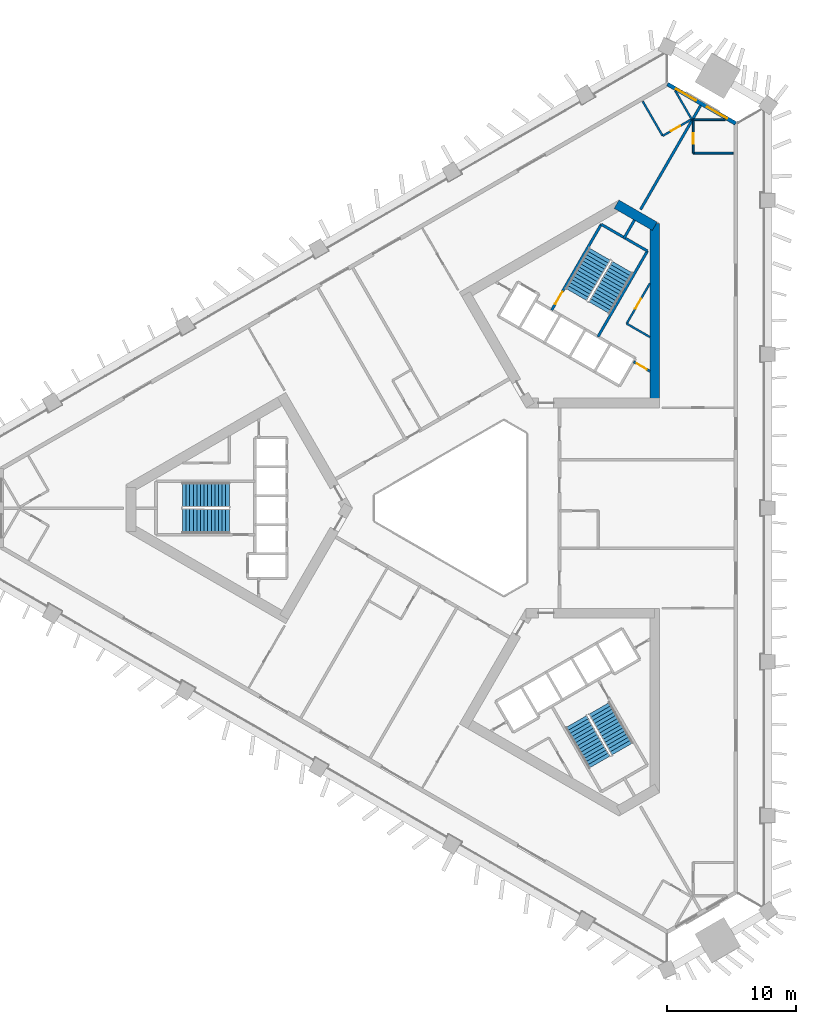
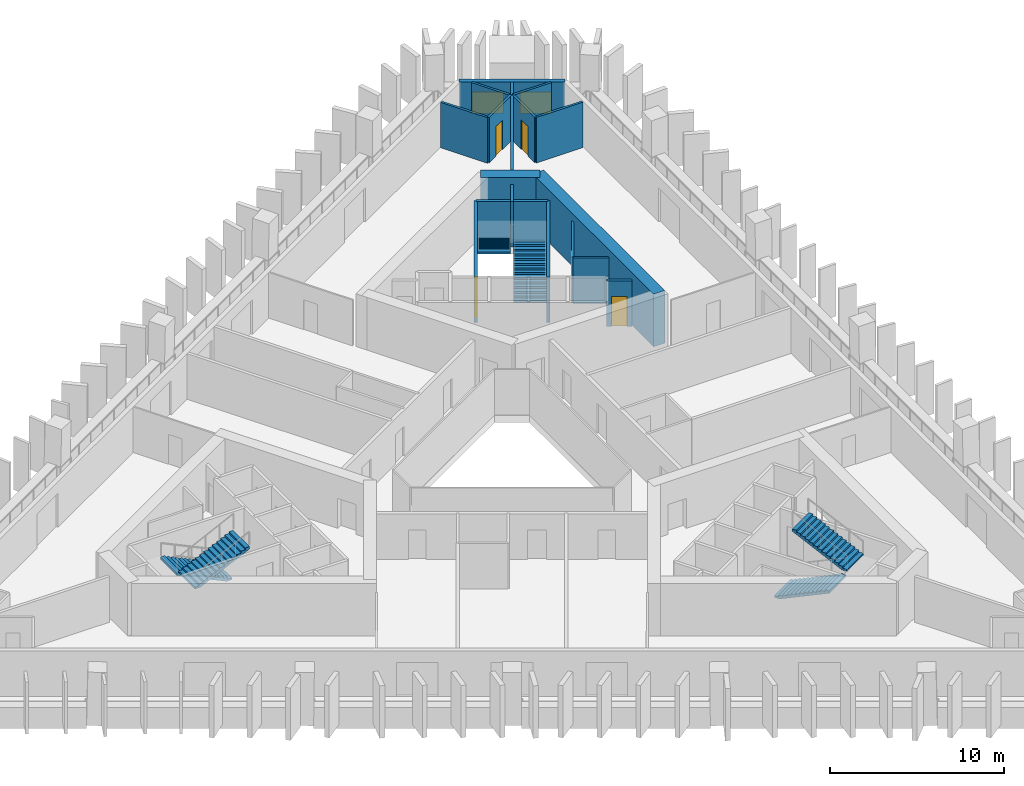
# One storey, part 6 of 10: 17 walls, 6 stair flights, 5 doors, 2 windows, 7 openings, 3 elements without a shape of their own.
"""IFC4 building model written with IfcOpenShell, lengths in metres."""

from ifc_helpers import new_model, si_unit, direction, frame, frame_2d, origin, place, context, subcontext, project, spatial, polyline, rectangle, outline, extrude, material, layer, layer_set, type_object, element, fill, aggregate, save


model = new_model("IFC4")

# Units and contexts
model_context = context("Model", 3, precision=1e-05, world=origin(), true_north=direction((0.0, 1.0)))
body_context = subcontext(model_context, "Body", "Model", "MODEL_VIEW")
ifc_project = project(units=[si_unit("LENGTHUNIT", "METRE"), si_unit("AREAUNIT", "SQUARE_METRE"), si_unit("VOLUMEUNIT", "CUBIC_METRE"), si_unit("PLANEANGLEUNIT", "RADIAN"), si_unit("MASSUNIT", "GRAM", prefix="KILO")], contexts=[model_context])

# Site, building, storey
site_placement = place(None, origin())
site = spatial("IfcSite", under=ifc_project, at=site_placement, CompositionType="ELEMENT")
building_placement = place(site_placement, origin())
building = spatial("IfcBuilding", under=site, at=building_placement, Name="Jabali Bay Hotel Tower and Convention Centre", CompositionType="ELEMENT")
storey_placement = place(building_placement, frame((0.0, 0.0, 64.699951171875)))
storey = spatial("IfcBuildingStorey", under=building, at=storey_placement, Name="L14", CompositionType="ELEMENT", Elevation=64.699951171875)

# Wall
ifc_material_1 = material(Name="Concrete C40", Category="concrete")
ifc_layer_1 = layer(ifc_material_1, 0.199951171875)
ifc_layer_set_1 = layer_set([ifc_layer_1], Name="Concrete C40")
wall_type_1 = type_object("IfcWallType", Name="Core partition wall 200", PredefinedType="PARTITIONING", material=ifc_layer_set_1)
wall_1_placement = place(storey_placement, frame((87.090087890625, 100.9404296875, 0.0), z_axis=(0.0, 0.0, 1.0), x_axis=(0.499937194881, 0.866061661301, 0.0)))
element("IfcWall", 1, at=wall_1_placement, inside=storey, type_object=wall_type_1, Name="Core wall 1.5 L14", PredefinedType="PARTITIONING", context=body_context, shape_type="SweptSolid", body=[
    extrude(rectangle(XDim=1.673095703125, YDim=0.199951171875, at=frame_2d((0.83642578125, 0.0))), origin(), (0.0, 0.0, 1.0), 3.199951171875),
])

# Wall, opening, door
wall_2_placement = place(storey_placement, frame((89.130126953125, 90.640625, 0.0), z_axis=(0.0, 0.0, 1.0), x_axis=(-0.866094119867, 0.499880961361, 0.0)))
wall_2 = element("IfcWall", 2, at=wall_2_placement, inside=storey, type_object=wall_type_1, Name="Core wall 1.11 L14", PredefinedType="PARTITIONING", context=body_context, shape_type="SweptSolid", body=[
    extrude(rectangle(XDim=1.466552734375, YDim=0.199951171875, at=frame_2d((0.7333984375, 0.0))), origin(), (0.0, 0.0, 1.0), 3.199951171875),
])
opening_1_placement = place(wall_2_placement, frame((0.283447265625, 0.0, 0.0)))
opening_1 = element("IfcOpeningElement", 3, at=opening_1_placement, cuts=wall_2, Name="Opening D375", PredefinedType="OPENING", context=body_context, shape_type="SweptSolid", body=[
    extrude(rectangle(XDim=0.89990234375, YDim=2.10009765625, at=frame_2d((0.449951171875, 1.050048828125))), frame((0.0, 0.1103515625, 0.0), z_axis=(0.0, -1.0, 0.0), x_axis=(1.0, 0.0, 0.0)), (0.0, 0.0, 1.0), 0.220947265625),
])
ifc_material_2 = material(Name="Fire-rated steel door", Category="steel")
door_type_1 = type_object("IfcDoorType", Name="Vestibule fire door 900 x 2100", OperationType="NOTDEFINED", PredefinedType="NOTDEFINED", material=ifc_material_2)
door_1_placement = place(opening_1_placement, origin())
door_1 = element("IfcDoor", 4, at=door_1_placement, inside=storey, type_object=door_type_1, Name="Vestibule fire door D375", OperationType="SINGLE_SWING_LEFT", OverallHeight=2.10009765625, OverallWidth=0.89990234375, PredefinedType="NOTDEFINED", context=body_context, shape_type="SweptSolid", body=[
    extrude(rectangle(XDim=0.89990234375, YDim=2.10009765625, at=frame_2d((0.449951171875, 1.050048828125))), frame((0.0, 0.02490234375, 0.0), z_axis=(0.0, -1.0, 0.0), x_axis=(1.0, 0.0, 0.0)), (0.0, 0.0, 1.0), 0.050048828125),
])
fill(opening_1, door_1)

ifc_material_3 = material(Name="Fire-rated board partition")
ifc_layer_2 = layer(ifc_material_3, 0.14990234375)
ifc_layer_set_2 = layer_set([ifc_layer_2], Name="Fire-rated board partition")
wall_type_2 = type_object("IfcWallType", Name="Core room partition 150", PredefinedType="PARTITIONING", material=ifc_layer_set_2)
wall_3_placement = place(storey_placement, frame((87.321044921875, 94.3408203125, 0.0), z_axis=(0.0, 0.0, 1.0), x_axis=(0.499993116331, 0.866029378036, 0.0)))
wall_3 = element("IfcWall", 5, at=wall_3_placement, inside=storey, type_object=wall_type_2, Name="Core wall 1.1 L14", PredefinedType="PARTITIONING", context=body_context, shape_type="SweptSolid", body=[
    extrude(rectangle(XDim=3.61767578125, YDim=0.14990234375, at=frame_2d((1.808837890625, 0.0))), origin(), (0.0, 0.0, 1.0), 3.199951171875),
])
opening_2_placement = place(wall_3_placement, frame((1.33154296875, 0.0, 0.0)))
opening_2 = element("IfcOpeningElement", 6, at=opening_2_placement, cuts=wall_3, Name="Opening D377", PredefinedType="OPENING", context=body_context, shape_type="SweptSolid", body=[
    extrude(rectangle(XDim=0.89990234375, YDim=2.10009765625, at=frame_2d((0.449951171875, 1.050048828125))), frame((0.0, 0.08544921875, 0.0), z_axis=(0.0, -1.0, 0.0), x_axis=(1.0, 0.0, 0.0)), (0.0, 0.0, 1.0), 0.1708984375),
])
door_type_2 = type_object("IfcDoorType", Name="Core room door 900 x 2100", OperationType="NOTDEFINED", PredefinedType="NOTDEFINED", material=ifc_material_2)
door_2_placement = place(opening_2_placement, origin())
door_2 = element("IfcDoor", 7, at=door_2_placement, inside=storey, type_object=door_type_2, Name="Core room door D377", OperationType="SINGLE_SWING_LEFT", OverallHeight=2.10009765625, OverallWidth=0.89990234375, PredefinedType="NOTDEFINED", context=body_context, shape_type="SweptSolid", body=[
    extrude(rectangle(XDim=0.89990234375, YDim=2.10009765625, at=frame_2d((0.449951171875, 1.050048828125))), frame((0.0, 0.02490234375, 0.0), z_axis=(0.0, -1.0, 0.0), x_axis=(1.0, 0.0, 0.0)), (0.0, 0.0, 1.0), 0.050048828125),
])
fill(opening_2, door_2)

# Walls
wall_4_placement = place(storey_placement, frame((89.130126953125, 93.29638671875, 0.0), z_axis=(0.0, 0.0, 1.0), x_axis=(-0.866033778982, 0.499985493453, 0.0)))
element("IfcWall", 8, at=wall_4_placement, inside=storey, type_object=wall_type_2, Name="Core wall 1.15 L14", PredefinedType="PARTITIONING", context=body_context, shape_type="SweptSolid", body=[
    extrude(rectangle(XDim=2.0888671875, YDim=0.14990234375, at=frame_2d((1.04443359375, 0.0))), origin(), (0.0, 0.0, 1.0), 3.199951171875),
])
ifc_layer_3 = layer(ifc_material_1, 0.199951171875)
ifc_layer_set_3 = layer_set([ifc_layer_3], Name="Concrete C40")
wall_type_3 = type_object("IfcWallType", Name="Core stair wall 200", PredefinedType="SOLIDWALL", material=ifc_layer_set_3)
wall_5_placement = place(storey_placement, frame((85.0869140625, 93.3212890625, 0.0), z_axis=(0.0, 0.0, 1.0), x_axis=(0.500019787375, 0.866013979237, 0.0)))
element("IfcWall", 9, at=wall_5_placement, inside=storey, type_object=wall_type_3, Name="Core wall 1.3 L14", PredefinedType="SOLIDWALL", context=body_context, shape_type="SweptSolid", body=[
    extrude(rectangle(XDim=7.699951171875, YDim=0.199951171875, at=frame_2d((3.85009765625, 0.0))), origin(), (0.0, 0.0, 1.0), 3.199951171875),
])

# Wall, opening, door
wall_6_placement = place(storey_placement, frame((81.492919921875, 95.396240234375, 0.0), z_axis=(0.0, 0.0, 1.0), x_axis=(0.500006057782, 0.866021906294, 0.0)))
wall_6 = element("IfcWall", 10, at=wall_6_placement, inside=storey, type_object=wall_type_3, Name="Core wall 1.7 L14", PredefinedType="SOLIDWALL", context=body_context, shape_type="SweptSolid", body=[
    extrude(rectangle(XDim=7.7001953125, YDim=0.199951171875, at=frame_2d((3.85009765625, 0.0))), origin(), (0.0, 0.0, 1.0), 3.199951171875),
])
opening_3_placement = place(wall_6_placement, frame((0.550048828125, 0.0, 0.0)))
opening_3 = element("IfcOpeningElement", 11, at=opening_3_placement, cuts=wall_6, Name="Opening D376", PredefinedType="OPENING", context=body_context, shape_type="SweptSolid", body=[
    extrude(rectangle(XDim=1.10009765625, YDim=2.10009765625, at=frame_2d((0.550048828125, 1.050048828125))), frame((0.0, 0.1103515625, 0.0), z_axis=(0.0, -1.0, 0.0), x_axis=(1.0, 0.0, 0.0)), (0.0, 0.0, 1.0), 0.220947265625),
])
door_type_3 = type_object("IfcDoorType", Name="Stair fire door 1100 x 2100", OperationType="NOTDEFINED", PredefinedType="NOTDEFINED", material=ifc_material_2)
door_3_placement = place(opening_3_placement, origin())
door_3 = element("IfcDoor", 12, at=door_3_placement, inside=storey, type_object=door_type_3, Name="Stair fire door D376", OperationType="SINGLE_SWING_RIGHT", OverallHeight=2.10009765625, OverallWidth=1.10009765625, PredefinedType="NOTDEFINED", context=body_context, shape_type="SweptSolid", body=[
    extrude(rectangle(XDim=1.10009765625, YDim=2.10009765625, at=frame_2d((0.550048828125, 1.050048828125))), frame((0.0, 0.02490234375, 0.0), z_axis=(0.0, -1.0, 0.0), x_axis=(1.0, 0.0, 0.0)), (0.0, 0.0, 1.0), 0.050048828125),
])
fill(opening_3, door_3)

# Walls
wall_7_placement = place(storey_placement, frame((88.93701171875, 99.989501953125, 0.0), z_axis=(0.0, 0.0, 1.0), x_axis=(-0.866004344652, 0.500036473714, 0.0)))
element("IfcWall", 13, at=wall_7_placement, inside=storey, type_object=wall_type_3, Name="Core wall 1.16 L14", PredefinedType="SOLIDWALL", context=body_context, shape_type="SweptSolid", body=[
    extrude(rectangle(XDim=4.150146484375, YDim=0.199951171875, at=frame_2d((2.0751953125, 0.0))), origin(), (0.0, 0.0, 1.0), 3.199951171875),
])
ifc_material_4 = material(Name="Concrete C60", Category="concrete")
ifc_layer_4 = layer(ifc_material_4, 0.75)
ifc_layer_set_4 = layer_set([ifc_layer_4], Name="Concrete C60")
wall_type_4 = type_object("IfcWallType", Name="Core wall 750", PredefinedType="SHEAR", material=ifc_layer_set_4)
wall_8_placement = place(storey_placement, frame((89.5048828125, 88.169189453125, 0.0), z_axis=(0.0, 0.0, 1.0), x_axis=(0.0, 1.0, 0.0)))
element("IfcWall", 14, at=wall_8_placement, inside=storey, type_object=wall_type_4, Name="Core wall 2.2 L14", PredefinedType="SHEAR", context=body_context, shape_type="SweptSolid", body=[
    extrude(rectangle(XDim=13.95849609375, YDim=0.75, at=frame_2d((6.979248046875, 0.0))), origin(), (0.0, 0.0, 1.0), 3.699951171875),
])
wall_9_placement = place(storey_placement, frame((89.5048828125, 101.9111328125, 0.0), z_axis=(0.0, 0.0, 1.0), x_axis=(-0.866017201164, 0.500014207086, 0.0)))
element("IfcWall", 15, at=wall_9_placement, inside=storey, type_object=wall_type_4, Name="Core wall 2.3 L14", PredefinedType="SHEAR", context=body_context, shape_type="SweptSolid", body=[
    extrude(rectangle(XDim=3.4287109375, YDim=0.75, at=frame_2d((1.71435546875, 0.0))), origin(), (0.0, 0.0, 1.0), 3.699951171875),
])

# Wall, openings, windows
ifc_layer_5 = layer(ifc_material_1, 0.300048828125)
ifc_layer_set_5 = layer_set([ifc_layer_5], Name="Concrete C40")
wall_type_5 = type_object("IfcWallType", Name="External wall 300", PredefinedType="SOLIDWALL", material=ifc_layer_set_5)
wall_10_placement = place(storey_placement, frame((90.4990234375, 112.965576171875, 0.0), z_axis=(0.0, 0.0, 1.0), x_axis=(0.866022842194, -0.500004436779, 0.0)))
wall_10 = element("IfcWall", 16, at=wall_10_placement, inside=storey, type_object=wall_type_5, Name="External wall north-east chamfer L14", PredefinedType="SOLIDWALL", context=body_context, shape_type="SweptSolid", body=[
    extrude(rectangle(XDim=6.12060546875, YDim=0.300048828125, at=frame_2d((3.060302734375, 0.0))), origin(), (0.0, 0.0, 1.0), 3.199951171875),
])
opening_4_placement = place(wall_10_placement, frame((3.531982421875, 0.0, 0.89990234375)))
opening_4 = element("IfcOpeningElement", 17, at=opening_4_placement, cuts=wall_10, Name="Opening W1", PredefinedType="OPENING", context=body_context, shape_type="SweptSolid", body=[
    extrude(rectangle(XDim=1.800048828125, YDim=1.5, at=frame_2d((0.89990234375, 0.75))), frame((0.0, 0.16064453125, 0.0), z_axis=(0.0, -1.0, 0.0), x_axis=(1.0, 0.0, 0.0)), (0.0, 0.0, 1.0), 0.321044921875),
])
opening_5_placement = place(wall_10_placement, frame((0.759521484375, 0.0, 0.89990234375)))
opening_5 = element("IfcOpeningElement", 18, at=opening_5_placement, cuts=wall_10, Name="Opening W1", PredefinedType="OPENING", context=body_context, shape_type="SweptSolid", body=[
    extrude(rectangle(XDim=1.800048828125, YDim=1.5, at=frame_2d((0.89990234375, 0.75))), frame((0.0, 0.16064453125, 0.0), z_axis=(0.0, -1.0, 0.0), x_axis=(1.0, 0.0, 0.0)), (0.0, 0.0, 1.0), 0.321044921875),
])
ifc_material_5 = material(Name="Glass", Category="glass")
window_type = type_object("IfcWindowType", Name="Window 1800 x 1500", PartitioningType="SINGLE_PANEL", PredefinedType="WINDOW", material=ifc_material_5)
window_1_placement = place(opening_4_placement, origin())
window_1 = element("IfcWindow", 19, at=window_1_placement, inside=storey, type_object=window_type, Name="Window 1403", OverallHeight=1.5, OverallWidth=1.800048828125, PartitioningType="SINGLE_PANEL", PredefinedType="WINDOW", context=body_context, shape_type="SweptSolid", body=[
    extrude(rectangle(XDim=1.800048828125, YDim=1.5, at=frame_2d((0.89990234375, 0.75))), frame((0.0, 0.030029296875, 0.0), z_axis=(0.0, -1.0, 0.0), x_axis=(1.0, 0.0, 0.0)), (0.0, 0.0, 1.0), 0.06005859375),
])
fill(opening_4, window_1)
window_2_placement = place(opening_5_placement, origin())
window_2 = element("IfcWindow", 20, at=window_2_placement, inside=storey, type_object=window_type, Name="Window 1404", OverallHeight=1.5, OverallWidth=1.800048828125, PartitioningType="SINGLE_PANEL", PredefinedType="WINDOW", context=body_context, shape_type="SweptSolid", body=[
    extrude(rectangle(XDim=1.800048828125, YDim=1.5, at=frame_2d((0.89990234375, 0.75))), frame((0.0, 0.030029296875, 0.0), z_axis=(0.0, -1.0, 0.0), x_axis=(1.0, 0.0, 0.0)), (0.0, 0.0, 1.0), 0.06005859375),
])
fill(opening_5, window_2)

# Wall
ifc_material_6 = material(Name="Plasterboard on steel stud", Category="steel")
ifc_layer_6 = layer(ifc_material_6, 0.14990234375)
ifc_layer_set_6 = layer_set([ifc_layer_6], Name="Plasterboard on steel stud")
wall_type_6 = type_object("IfcWallType", Name="Partition 150 wet", PredefinedType="PARTITIONING", material=ifc_layer_set_6)
wall_11_placement = place(storey_placement, frame((95.609375, 107.59423828125, 0.0), z_axis=(0.0, 0.0, 1.0), x_axis=(-1.0, 0.0, 0.0)))
element("IfcWall", 21, at=wall_11_placement, inside=storey, type_object=wall_type_6, Name="Partition P03 L14 012", PredefinedType="PARTITIONING", context=body_context, shape_type="SweptSolid", body=[
    extrude(rectangle(XDim=3.10791015625, YDim=0.14990234375, at=frame_2d((1.553955078125, 0.0))), origin(), (0.0, 0.0, 1.0), 3.199951171875),
])

# Wall, opening, door
wall_12_placement = place(storey_placement, frame((92.50146484375, 107.59423828125, 0.0), z_axis=(0.0, 0.0, 1.0), x_axis=(0.0, 1.0, 0.0)))
wall_12 = element("IfcWall", 22, at=wall_12_placement, inside=storey, type_object=wall_type_6, Name="Partition P03 L14 013", PredefinedType="PARTITIONING", context=body_context, shape_type="SweptSolid", body=[
    extrude(rectangle(XDim=2.60009765625, YDim=0.14990234375, at=frame_2d((1.300048828125, 0.0))), origin(), (0.0, 0.0, 1.0), 3.199951171875),
])
opening_6_placement = place(wall_12_placement, frame((0.75, 0.0, 0.0)))
opening_6 = element("IfcOpeningElement", 23, at=opening_6_placement, cuts=wall_12, Name="Opening 1408", PredefinedType="OPENING", context=body_context, shape_type="SweptSolid", body=[
    extrude(rectangle(XDim=0.800048828125, YDim=2.10009765625, at=frame_2d((0.39990234375, 1.050048828125))), frame((0.0, 0.08544921875, 0.0), z_axis=(0.0, -1.0, 0.0), x_axis=(1.0, 0.0, 0.0)), (0.0, 0.0, 1.0), 0.1708984375),
])
ifc_material_7 = material(Name="Timber", Category="wood")
door_type_4 = type_object("IfcDoorType", Name="En-suite door 800 x 2100", OperationType="NOTDEFINED", PredefinedType="NOTDEFINED", material=ifc_material_7)
door_4_placement = place(opening_6_placement, origin())
door_4 = element("IfcDoor", 24, at=door_4_placement, inside=storey, type_object=door_type_4, Name="Door 1408", OperationType="SINGLE_SWING_LEFT", OverallHeight=2.10009765625, OverallWidth=0.800048828125, PredefinedType="NOTDEFINED", context=body_context, shape_type="SweptSolid", body=[
    extrude(rectangle(XDim=0.800048828125, YDim=2.10009765625, at=frame_2d((0.39990234375, 1.050048828125))), frame((0.0, 0.02490234375, 0.0), z_axis=(0.0, -1.0, 0.0), x_axis=(1.0, 0.0, 0.0)), (0.0, 0.0, 1.0), 0.050048828125),
])
fill(opening_6, door_4)

# Walls
wall_13_placement = place(storey_placement, frame((92.50146484375, 110.1943359375, 0.0), z_axis=(0.0, 0.0, 1.0), x_axis=(1.0, 0.0, 0.0)))
element("IfcWall", 25, at=wall_13_placement, inside=storey, type_object=wall_type_6, Name="Partition P03 L14 014", PredefinedType="PARTITIONING", context=body_context, shape_type="SweptSolid", body=[
    extrude(rectangle(XDim=2.49951171875, YDim=0.14990234375, at=frame_2d((1.249755859375, 0.0))), origin(), (0.0, 0.0, 1.0), 3.199951171875),
])
wall_14_placement = place(storey_placement, frame((91.098388671875, 112.447509765625, 0.0), z_axis=(0.0, 0.0, 1.0), x_axis=(0.499960079661, -0.866048450576, 0.0)))
element("IfcWall", 26, at=wall_14_placement, inside=storey, type_object=wall_type_6, Name="Partition P03 L14 019", PredefinedType="PARTITIONING", context=body_context, shape_type="SweptSolid", body=[
    extrude(rectangle(XDim=2.549560546875, YDim=0.14990234375, at=frame_2d((1.27490234375, 0.0))), origin(), (0.0, 0.0, 1.0), 3.199951171875),
])

# Wall, opening, door
wall_15_placement = place(storey_placement, frame((92.373046875, 110.239501953125, 0.0), z_axis=(0.0, 0.0, 1.0), x_axis=(-0.865997922154, -0.500047596559, 0.0)))
wall_15 = element("IfcWall", 27, at=wall_15_placement, inside=storey, type_object=wall_type_6, Name="Partition P03 L14 020", PredefinedType="PARTITIONING", context=body_context, shape_type="SweptSolid", body=[
    extrude(rectangle(XDim=2.599853515625, YDim=0.14990234375, at=frame_2d((1.2998046875, 0.0))), origin(), (0.0, 0.0, 1.0), 3.199951171875),
])
opening_7_placement = place(wall_15_placement, frame((1.050048828125, 0.0, 0.0)))
opening_7 = element("IfcOpeningElement", 28, at=opening_7_placement, cuts=wall_15, Name="Opening 1411", PredefinedType="OPENING", context=body_context, shape_type="SweptSolid", body=[
    extrude(rectangle(XDim=0.800048828125, YDim=2.10009765625, at=frame_2d((0.39990234375, 1.050048828125))), frame((0.0, 0.08544921875, 0.0), z_axis=(0.0, -1.0, 0.0), x_axis=(1.0, 0.0, 0.0)), (0.0, 0.0, 1.0), 0.1708984375),
])
door_5_placement = place(opening_7_placement, origin())
door_5 = element("IfcDoor", 29, at=door_5_placement, inside=storey, type_object=door_type_4, Name="Door 1411", OperationType="SINGLE_SWING_RIGHT", OverallHeight=2.10009765625, OverallWidth=0.800048828125, PredefinedType="NOTDEFINED", context=body_context, shape_type="SweptSolid", body=[
    extrude(rectangle(XDim=0.800048828125, YDim=2.10009765625, at=frame_2d((0.39990234375, 1.050048828125))), frame((0.0, 0.02490234375, 0.0), z_axis=(0.0, -1.0, 0.0), x_axis=(1.0, 0.0, 0.0)), (0.0, 0.0, 1.0), 0.050048828125),
])
fill(opening_7, door_5)

# Walls
wall_16_placement = place(storey_placement, frame((90.12158203125, 108.939453125, 0.0), z_axis=(0.0, 0.0, 1.0), x_axis=(-0.500017123375, 0.866015517374, 0.0)))
element("IfcWall", 30, at=wall_16_placement, inside=storey, type_object=wall_type_6, Name="Partition P03 L14 021", PredefinedType="PARTITIONING", context=body_context, shape_type="SweptSolid", body=[
    extrude(rectangle(XDim=3.10791015625, YDim=0.14990234375, at=frame_2d((1.553955078125, 0.0))), origin(), (0.0, 0.0, 1.0), 3.199951171875),
])
ifc_layer_7 = layer(ifc_material_6, 0.199951171875)
ifc_layer_set_7 = layer_set([ifc_layer_7], Name="Plasterboard on steel stud")
wall_type_7 = type_object("IfcWallType", Name="Partition 200 party", PredefinedType="PARTITIONING", material=ifc_layer_set_7)
wall_17_placement = place(storey_placement, frame((93.07470703125, 111.306396484375, 0.0), z_axis=(0.0, 0.0, 1.0), x_axis=(-0.49998471623, -0.866034227694, 0.0)))
element("IfcWall", 31, at=wall_17_placement, inside=storey, type_object=wall_type_7, Name="Partition P01 L14 015", PredefinedType="PARTITIONING", context=body_context, shape_type="SweptSolid", body=[
    extrude(rectangle(XDim=9.347412109375, YDim=0.199951171875, at=frame_2d((4.673828125, 0.0))), origin(), (0.0, 0.0, 1.0), 3.199951171875),
])

# Stair, stair flights
stair_type = type_object("IfcStairType", Name="Exit stair 1900", PredefinedType="HALF_TURN_STAIR", material=ifc_material_1)
stair_1_placement = place(storey_placement, origin())
stair_1 = element("IfcStair", 32, at=stair_1_placement, inside=storey, type_object=stair_type, Name="L14 Exit Stair 1", PredefinedType="HALF_TURN_STAIR")
stair_flight_type = type_object("IfcStairFlightType", Name="Stair flight concrete 150", PredefinedType="STRAIGHT", material=ifc_material_1)
stair_flight_1_placement = place(storey_placement, frame((56.419921875, 81.02490234375, 0.0), z_axis=(0.0, 0.0, 1.0), x_axis=(-1.0, 0.0, 0.0)))
stair_flight_1 = element("IfcStairFlight", 33, at=stair_flight_1_placement, type_object=stair_flight_type, Name="ST1 flight 1", NumberOfRisers=14, NumberOfTreads=13, PredefinedType="STRAIGHT", RiserHeight=0.132142857, TreadLength=0.28, context=body_context, shape_type="SweptSolid", body=[
    extrude(outline(polyline([(0.0, 0.0), (0.0, 0.132080078125), (0.280029296875, 0.132080078125), (0.280029296875, 0.264404296875), (0.56005859375, 0.264404296875), (0.56005859375, 0.396484375), (0.840087890625, 0.396484375), (0.840087890625, 0.528564453125), (1.1201171875, 0.528564453125), (1.1201171875, 0.66064453125), (1.39990234375, 0.66064453125), (1.39990234375, 0.79296875), (1.679931640625, 0.79296875), (1.679931640625, 0.925048828125), (1.9599609375, 0.925048828125), (1.9599609375, 1.05712890625), (2.239990234375, 1.05712890625), (2.239990234375, 1.189208984375), (2.52001953125, 1.189208984375), (2.52001953125, 1.321533203125), (2.800048828125, 1.321533203125), (2.800048828125, 1.45361328125), (3.080078125, 1.45361328125), (3.080078125, 1.585693359375), (3.360107421875, 1.585693359375), (3.360107421875, 1.7177734375), (3.639892578125, 1.7177734375), (3.639892578125, 1.85009765625), (3.639892578125, 1.552001953125), (0.351318359375, 0.0), (0.0, 0.0)])), frame((0.0, 0.949951171875, 0.0), z_axis=(0.0, -1.0, 0.0), x_axis=(1.0, 0.0, 0.0)), (0.0, 0.0, 1.0), 1.89990234375),
])
stair_flight_2_placement = place(storey_placement, frame((52.780029296875, 78.97509765625, 1.85009765625), z_axis=(0.0, 0.0, 1.0), x_axis=(1.0, 0.0, 0.0)))
stair_flight_2 = element("IfcStairFlight", 34, at=stair_flight_2_placement, type_object=stair_flight_type, Name="ST1 flight 2", NumberOfRisers=14, NumberOfTreads=13, PredefinedType="STRAIGHT", RiserHeight=0.132142857, TreadLength=0.28, context=body_context, shape_type="SweptSolid", body=[
    extrude(outline(polyline([(0.0, 0.0), (0.0, 0.132080078125), (0.280029296875, 0.132080078125), (0.280029296875, 0.264404296875), (0.56005859375, 0.264404296875), (0.56005859375, 0.396484375), (0.840087890625, 0.396484375), (0.840087890625, 0.528564453125), (1.1201171875, 0.528564453125), (1.1201171875, 0.66064453125), (1.39990234375, 0.66064453125), (1.39990234375, 0.79296875), (1.679931640625, 0.79296875), (1.679931640625, 0.925048828125), (1.9599609375, 0.925048828125), (1.9599609375, 1.05712890625), (2.239990234375, 1.05712890625), (2.239990234375, 1.189208984375), (2.52001953125, 1.189208984375), (2.52001953125, 1.321533203125), (2.800048828125, 1.321533203125), (2.800048828125, 1.45361328125), (3.080078125, 1.45361328125), (3.080078125, 1.585693359375), (3.360107421875, 1.585693359375), (3.360107421875, 1.7177734375), (3.639892578125, 1.7177734375), (3.639892578125, 1.85009765625), (3.639892578125, 1.552001953125), (0.351318359375, 0.0), (0.0, 0.0)])), frame((0.0, 0.949951171875, 0.0), z_axis=(0.0, -1.0, 0.0), x_axis=(1.0, 0.0, 0.0)), (0.0, 0.0, 1.0), 1.89990234375),
])
aggregate(stair_1, [stair_flight_1, stair_flight_2])

stair_2_placement = place(storey_placement, origin())
stair_2 = element("IfcStair", 35, at=stair_2_placement, inside=storey, type_object=stair_type, Name="L14 Exit Stair 2", PredefinedType="HALF_TURN_STAIR")
stair_flight_3_placement = place(storey_placement, frame((85.177734375, 95.578369140625, 0.0), z_axis=(0.0, 0.0, 1.0), x_axis=(0.5, 0.866025403784, 0.0)))
stair_flight_3 = element("IfcStairFlight", 36, at=stair_flight_3_placement, type_object=stair_flight_type, Name="ST2 flight 1", NumberOfRisers=14, NumberOfTreads=13, PredefinedType="STRAIGHT", RiserHeight=0.132142857, TreadLength=0.28, context=body_context, shape_type="SweptSolid", body=[
    extrude(outline(polyline([(0.0, 0.0), (0.0, 0.132080078125), (0.280029296875, 0.132080078125), (0.280029296875, 0.264404296875), (0.56005859375, 0.264404296875), (0.56005859375, 0.396484375), (0.840087890625, 0.396484375), (0.840087890625, 0.528564453125), (1.1201171875, 0.528564453125), (1.1201171875, 0.66064453125), (1.39990234375, 0.66064453125), (1.39990234375, 0.79296875), (1.679931640625, 0.79296875), (1.679931640625, 0.925048828125), (1.9599609375, 0.925048828125), (1.9599609375, 1.05712890625), (2.239990234375, 1.05712890625), (2.239990234375, 1.189208984375), (2.52001953125, 1.189208984375), (2.52001953125, 1.321533203125), (2.800048828125, 1.321533203125), (2.800048828125, 1.45361328125), (3.080078125, 1.45361328125), (3.080078125, 1.585693359375), (3.360107421875, 1.585693359375), (3.360107421875, 1.7177734375), (3.639892578125, 1.7177734375), (3.639892578125, 1.85009765625), (3.639892578125, 1.552001953125), (0.351318359375, 0.0), (0.0, 0.0)])), frame((0.0, 0.949951171875, 0.0), z_axis=(0.0, -1.0, 0.0), x_axis=(1.0, 0.0, 0.0)), (0.0, 0.0, 1.0), 1.89990234375),
])
stair_flight_4_placement = place(storey_placement, frame((85.222412109375, 99.755615234375, 1.85009765625), z_axis=(0.0, 0.0, 1.0), x_axis=(-0.5, -0.866025403784, 0.0)))
stair_flight_4 = element("IfcStairFlight", 37, at=stair_flight_4_placement, type_object=stair_flight_type, Name="ST2 flight 2", NumberOfRisers=14, NumberOfTreads=13, PredefinedType="STRAIGHT", RiserHeight=0.132142857, TreadLength=0.28, context=body_context, shape_type="SweptSolid", body=[
    extrude(outline(polyline([(0.0, 0.0), (0.0, 0.132080078125), (0.280029296875, 0.132080078125), (0.280029296875, 0.264404296875), (0.56005859375, 0.264404296875), (0.56005859375, 0.396484375), (0.840087890625, 0.396484375), (0.840087890625, 0.528564453125), (1.1201171875, 0.528564453125), (1.1201171875, 0.66064453125), (1.39990234375, 0.66064453125), (1.39990234375, 0.79296875), (1.679931640625, 0.79296875), (1.679931640625, 0.925048828125), (1.9599609375, 0.925048828125), (1.9599609375, 1.05712890625), (2.239990234375, 1.05712890625), (2.239990234375, 1.189208984375), (2.52001953125, 1.189208984375), (2.52001953125, 1.321533203125), (2.800048828125, 1.321533203125), (2.800048828125, 1.45361328125), (3.080078125, 1.45361328125), (3.080078125, 1.585693359375), (3.360107421875, 1.585693359375), (3.360107421875, 1.7177734375), (3.639892578125, 1.7177734375), (3.639892578125, 1.85009765625), (3.639892578125, 1.552001953125), (0.351318359375, 0.0), (0.0, 0.0)])), frame((0.0, 0.949951171875, 0.0), z_axis=(0.0, -1.0, 0.0), x_axis=(1.0, 0.0, 0.0)), (0.0, 0.0, 1.0), 1.89990234375),
])
aggregate(stair_2, [stair_flight_3, stair_flight_4])

stair_3_placement = place(storey_placement, origin())
stair_3 = element("IfcStair", 38, at=stair_3_placement, inside=storey, type_object=stair_type, Name="L14 Exit Stair 3", PredefinedType="HALF_TURN_STAIR")
stair_flight_5_placement = place(storey_placement, frame((83.40234375, 63.396728515625, 0.0), z_axis=(0.0, 0.0, 1.0), x_axis=(0.5, -0.866025403784, 0.0)))
stair_flight_5 = element("IfcStairFlight", 39, at=stair_flight_5_placement, type_object=stair_flight_type, Name="ST3 flight 1", NumberOfRisers=14, NumberOfTreads=13, PredefinedType="STRAIGHT", RiserHeight=0.132142857, TreadLength=0.28, context=body_context, shape_type="SweptSolid", body=[
    extrude(outline(polyline([(0.0, 0.0), (0.0, 0.132080078125), (0.280029296875, 0.132080078125), (0.280029296875, 0.264404296875), (0.56005859375, 0.264404296875), (0.56005859375, 0.396484375), (0.840087890625, 0.396484375), (0.840087890625, 0.528564453125), (1.1201171875, 0.528564453125), (1.1201171875, 0.66064453125), (1.39990234375, 0.66064453125), (1.39990234375, 0.79296875), (1.679931640625, 0.79296875), (1.679931640625, 0.925048828125), (1.9599609375, 0.925048828125), (1.9599609375, 1.05712890625), (2.239990234375, 1.05712890625), (2.239990234375, 1.189208984375), (2.52001953125, 1.189208984375), (2.52001953125, 1.321533203125), (2.800048828125, 1.321533203125), (2.800048828125, 1.45361328125), (3.080078125, 1.45361328125), (3.080078125, 1.585693359375), (3.360107421875, 1.585693359375), (3.360107421875, 1.7177734375), (3.639892578125, 1.7177734375), (3.639892578125, 1.85009765625), (3.639892578125, 1.552001953125), (0.351318359375, 0.0), (0.0, 0.0)])), frame((0.0, 0.949951171875, 0.0), z_axis=(0.0, -1.0, 0.0), x_axis=(1.0, 0.0, 0.0)), (0.0, 0.0, 1.0), 1.89990234375),
])
stair_flight_6_placement = place(storey_placement, frame((86.99755859375, 61.26953125, 1.85009765625), z_axis=(0.0, 0.0, 1.0), x_axis=(-0.5, 0.866025403784, 0.0)))
stair_flight_6 = element("IfcStairFlight", 40, at=stair_flight_6_placement, type_object=stair_flight_type, Name="ST3 flight 2", NumberOfRisers=14, NumberOfTreads=13, PredefinedType="STRAIGHT", RiserHeight=0.132142857, TreadLength=0.28, context=body_context, shape_type="SweptSolid", body=[
    extrude(outline(polyline([(0.0, 0.0), (0.0, 0.132080078125), (0.280029296875, 0.132080078125), (0.280029296875, 0.264404296875), (0.56005859375, 0.264404296875), (0.56005859375, 0.396484375), (0.840087890625, 0.396484375), (0.840087890625, 0.528564453125), (1.1201171875, 0.528564453125), (1.1201171875, 0.66064453125), (1.39990234375, 0.66064453125), (1.39990234375, 0.79296875), (1.679931640625, 0.79296875), (1.679931640625, 0.925048828125), (1.9599609375, 0.925048828125), (1.9599609375, 1.05712890625), (2.239990234375, 1.05712890625), (2.239990234375, 1.189208984375), (2.52001953125, 1.189208984375), (2.52001953125, 1.321533203125), (2.800048828125, 1.321533203125), (2.800048828125, 1.45361328125), (3.080078125, 1.45361328125), (3.080078125, 1.585693359375), (3.360107421875, 1.585693359375), (3.360107421875, 1.7177734375), (3.639892578125, 1.7177734375), (3.639892578125, 1.85009765625), (3.639892578125, 1.552001953125), (0.351318359375, 0.0), (0.0, 0.0)])), frame((0.0, 0.949951171875, 0.0), z_axis=(0.0, -1.0, 0.0), x_axis=(1.0, 0.0, 0.0)), (0.0, 0.0, 1.0), 1.89990234375),
])
aggregate(stair_3, [stair_flight_5, stair_flight_6])

save(model, "model.ifc")
